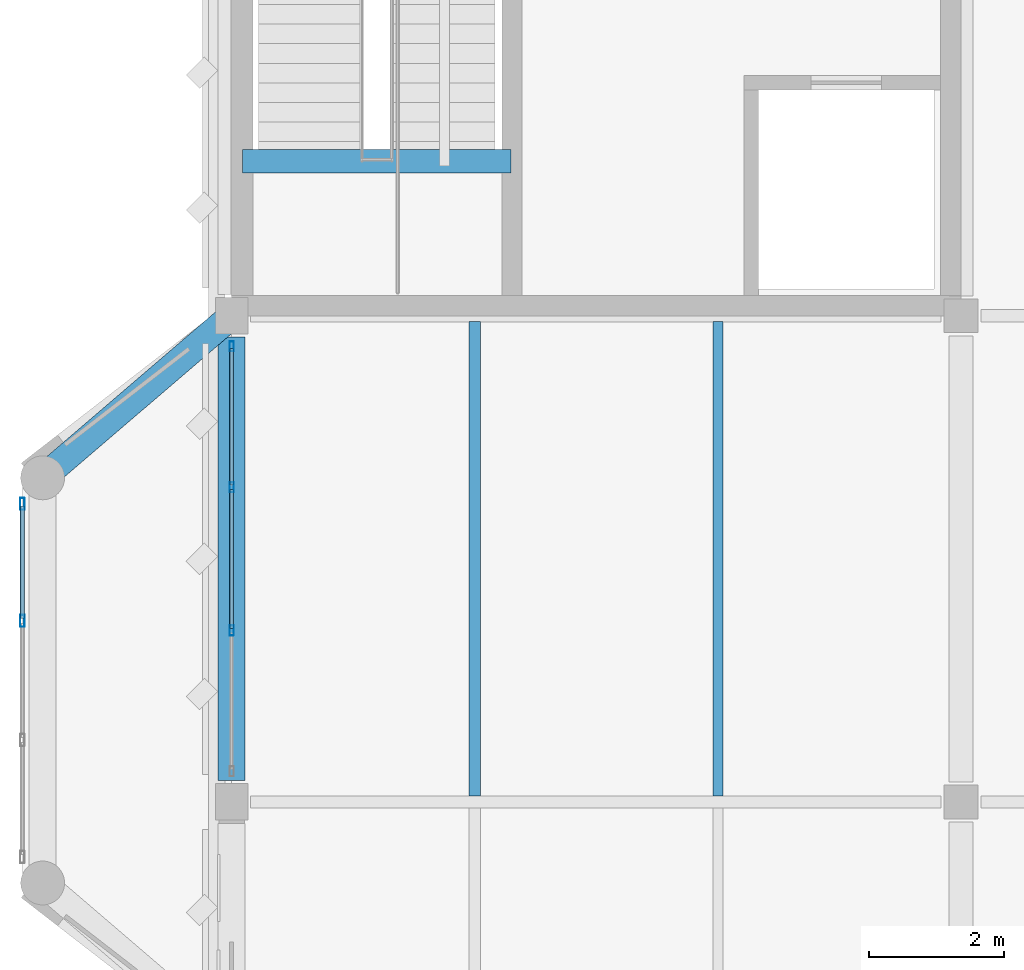
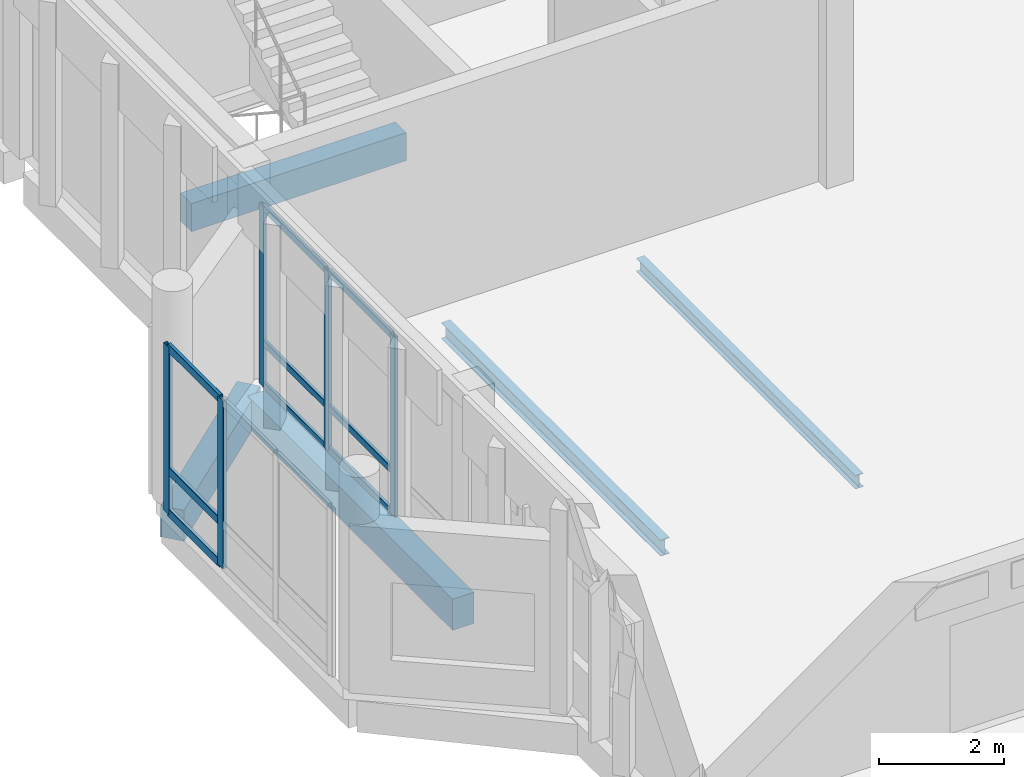
# One storey, part 8 of 72: 14 members, 5 beams, 2 elements without a shape of their own.
"""IFC4 building model written with IfcOpenShell, lengths in metres."""

from ifc_helpers import new_model, si_unit, direction, frame, origin, origin_2d, place, context, subcontext, project, spatial, rectangle, hollow_rectangle, i_section, extrude, material, material_profile, profile_set, type_object, element, aggregate, save


model = new_model("IFC4")

# Units and contexts
model_context = context("Model", 3, precision=1e-05, world=origin(), true_north=direction((0.0, 1.0)))
body_context = subcontext(model_context, "Body", "Model", "MODEL_VIEW")
ifc_project = project(units=[si_unit("LENGTHUNIT", "METRE"), si_unit("AREAUNIT", "SQUARE_METRE"), si_unit("VOLUMEUNIT", "CUBIC_METRE"), si_unit("PLANEANGLEUNIT", "RADIAN"), si_unit("MASSUNIT", "GRAM", prefix="KILO")], contexts=[model_context])

# Site, building, storey
site_placement = place(None, origin())
site = spatial("IfcSite", under=ifc_project, at=site_placement, CompositionType="ELEMENT")
building_placement = place(site_placement, origin())
building = spatial("IfcBuilding", under=site, at=building_placement, Name="Lusvemor Sports Hall", CompositionType="ELEMENT")
storey_placement = place(building_placement, frame((0.0, 0.0, 15.0)))
storey = spatial("IfcBuildingStorey", under=building, at=storey_placement, Name="L03", CompositionType="ELEMENT", Elevation=15.0)

# Beam
ifc_material_1 = material(Name="Concrete C40/50", Category="concrete")
ifc_material_profile_1 = material_profile(ifc_material_1, rectangle(XDim=0.35009765625, YDim=0.550048828125, at=origin_2d()), Name="RC350x550")
ifc_profile_set_1 = profile_set([ifc_material_profile_1], Name="Concrete C40/50")
beam_type_1 = type_object("IfcBeamType", Name="BEAM_RC_550", PredefinedType="BEAM", material=ifc_profile_set_1)
beam_1_placement = place(storey_placement, frame((0.159912109375, 70.68994140625, 1.64501953125), z_axis=(1.0, 0.0, 0.0), x_axis=(0.0, 1.0, 0.0)))
element("IfcBeam", 1, at=beam_1_placement, inside=storey, type_object=beam_type_1, Name="Stair STR-C3-L03 Mid-Landing Beam", PredefinedType="BEAM", context=body_context, shape_type="SweptSolid", body=[
    extrude(rectangle(XDim=0.35009765625, YDim=0.550048828125, at=origin_2d()), origin(), (0.0, 0.0, 1.0), 3.97998046875),
])

# Curtain wall, members
ifc_material_2 = material(Name="Thermally broken bronze-anodized aluminium", Category="aluminium")
curtain_wall_type_1 = type_object("IfcCurtainWallType", Name="CW_FOYER_A", PredefinedType="NOTDEFINED", material=ifc_material_2)
curtain_wall_1_placement = place(storey_placement, origin())
curtain_wall_1 = element("IfcCurtainWall", 2, at=curtain_wall_1_placement, inside=storey, type_object=curtain_wall_type_1, Name="Curtain Wall CW-BOW-W1-L03-M", PredefinedType="NOTDEFINED")
ifc_material_3 = material(Name="Thermally broken bronze-anodized aluminium", Category="aluminium")
ifc_material_profile_2 = material_profile(ifc_material_3, hollow_rectangle(XDim=0.070068359375, YDim=0.179931640625, WallThickness=0.0048828125, InnerFilletRadius=0.0048828125, OuterFilletRadius=0.010009765625, at=origin_2d()), Name="CWMUL180x70x5")
ifc_profile_set_2 = profile_set([ifc_material_profile_2], Name="Thermally broken bronze-anodized aluminium")
member_type_1 = type_object("IfcMemberType", Name="CW_MUL_A", PredefinedType="MULLION", material=ifc_profile_set_2)
member_1_placement = place(storey_placement, frame((-3.10009765625, 63.88330078125, 0.0), z_axis=(0.0, 0.0, 1.0), x_axis=(-1.0, 0.0, 0.0)))
member_1 = element("IfcMember", 3, at=member_1_placement, type_object=member_type_1, Name="CW01 mullion 3", PredefinedType="MULLION", context=body_context, shape_type="SweptSolid", body=[
    extrude(hollow_rectangle(XDim=0.070068359375, YDim=0.179931640625, WallThickness=0.0048828125, InnerFilletRadius=0.0048828125, OuterFilletRadius=0.010009765625, at=origin_2d()), origin(), (0.0, 0.0, 1.0), 3.280029296875),
])
member_2_placement = place(storey_placement, frame((-3.10009765625, 65.614990234375, 0.0), z_axis=(0.0, 0.0, 1.0), x_axis=(-1.0, 0.0, 0.0)))
member_2 = element("IfcMember", 4, at=member_2_placement, type_object=member_type_1, Name="CW01 mullion 4", PredefinedType="MULLION", context=body_context, shape_type="SweptSolid", body=[
    extrude(hollow_rectangle(XDim=0.070068359375, YDim=0.179931640625, WallThickness=0.0048828125, InnerFilletRadius=0.0048828125, OuterFilletRadius=0.010009765625, at=origin_2d()), origin(), (0.0, 0.0, 1.0), 3.280029296875),
])

ifc_material_4 = material(Name="Thermally broken bronze-anodized aluminium", Category="aluminium")
curtain_wall_type_2 = type_object("IfcCurtainWallType", Name="CW_WING_B", PredefinedType="NOTDEFINED", material=ifc_material_4)
curtain_wall_2_placement = place(storey_placement, origin())
curtain_wall_2 = element("IfcCurtainWall", 5, at=curtain_wall_2_placement, inside=storey, type_object=curtain_wall_type_2, Name="Curtain Wall CW-L03-W-0-1", PredefinedType="NOTDEFINED")
ifc_material_5 = material(Name="Thermally broken bronze-anodized aluminium", Category="aluminium")
ifc_material_profile_3 = material_profile(ifc_material_5, hollow_rectangle(XDim=0.06494140625, YDim=0.14990234375, WallThickness=0.00390625, InnerFilletRadius=0.00390625, OuterFilletRadius=0.008056640625, at=origin_2d()), Name="CWMUL150x65x4")
ifc_profile_set_3 = profile_set([ifc_material_profile_3], Name="Thermally broken bronze-anodized aluminium")
member_type_2 = type_object("IfcMemberType", Name="CW_MUL_B", PredefinedType="MULLION", material=ifc_profile_set_3)
member_3_placement = place(storey_placement, frame((0.0, 63.739990234375, 0.0), z_axis=(0.0, 0.0, 1.0), x_axis=(-1.0, 0.0, 0.0)))
member_3 = element("IfcMember", 6, at=member_3_placement, type_object=member_type_2, Name="CW02 mullion 2", PredefinedType="MULLION", context=body_context, shape_type="SweptSolid", body=[
    extrude(hollow_rectangle(XDim=0.06494140625, YDim=0.14990234375, WallThickness=0.00390625, InnerFilletRadius=0.00390625, OuterFilletRadius=0.008056640625, at=origin_2d()), origin(), (0.0, 0.0, 1.0), 3.52001953125),
])
member_4_placement = place(storey_placement, frame((0.0, 65.860107421875, 0.0), z_axis=(0.0, 0.0, 1.0), x_axis=(-1.0, 0.0, 0.0)))
member_4 = element("IfcMember", 7, at=member_4_placement, type_object=member_type_2, Name="CW02 mullion 3", PredefinedType="MULLION", context=body_context, shape_type="SweptSolid", body=[
    extrude(hollow_rectangle(XDim=0.06494140625, YDim=0.14990234375, WallThickness=0.00390625, InnerFilletRadius=0.00390625, OuterFilletRadius=0.008056640625, at=origin_2d()), origin(), (0.0, 0.0, 1.0), 3.52001953125),
])
member_5_placement = place(storey_placement, frame((0.0, 67.947509765625, 0.0), z_axis=(0.0, 0.0, 1.0), x_axis=(-1.0, 0.0, 0.0)))
member_5 = element("IfcMember", 8, at=member_5_placement, type_object=member_type_2, Name="CW02 mullion 4", PredefinedType="MULLION", context=body_context, shape_type="SweptSolid", body=[
    extrude(hollow_rectangle(XDim=0.06494140625, YDim=0.14990234375, WallThickness=0.00390625, InnerFilletRadius=0.00390625, OuterFilletRadius=0.008056640625, at=origin_2d()), origin(), (0.0, 0.0, 1.0), 3.52001953125),
])

# Member
ifc_material_6 = material(Name="Thermally broken bronze-anodized aluminium", Category="aluminium")
ifc_material_profile_4 = material_profile(ifc_material_6, hollow_rectangle(XDim=0.06494140625, YDim=0.159912109375, WallThickness=0.00390625, InnerFilletRadius=0.00390625, OuterFilletRadius=0.008056640625, at=origin_2d()), Name="CWTRN160x65x4")
ifc_profile_set_4 = profile_set([ifc_material_profile_4], Name="Thermally broken bronze-anodized aluminium")
member_type_3 = type_object("IfcMemberType", Name="CW_TRN_A", PredefinedType="USERDEFINED", material=ifc_profile_set_4)
member_6_placement = place(storey_placement, frame((-3.10009765625, 63.918212890625, 0.032470703125), z_axis=(0.0, 1.0, 0.0), x_axis=(-1.0, 0.0, 0.0)))
member_6 = element("IfcMember", 9, at=member_6_placement, type_object=member_type_3, Name="CW01 transom 3.1", ObjectType="TRANSOM", PredefinedType="USERDEFINED", context=body_context, shape_type="SweptSolid", body=[
    extrude(hollow_rectangle(XDim=0.06494140625, YDim=0.159912109375, WallThickness=0.00390625, InnerFilletRadius=0.00390625, OuterFilletRadius=0.008056640625, at=origin_2d()), origin(), (0.0, 0.0, 1.0), 1.661865234375),
])

member_7_placement = place(storey_placement, frame((-3.10009765625, 63.918212890625, 0.85009765625), z_axis=(0.0, 1.0, 0.0), x_axis=(-1.0, 0.0, 0.0)))
member_7 = element("IfcMember", 10, at=member_7_placement, type_object=member_type_3, Name="CW01 transom 3.2", ObjectType="TRANSOM", PredefinedType="USERDEFINED", context=body_context, shape_type="SweptSolid", body=[
    extrude(hollow_rectangle(XDim=0.06494140625, YDim=0.159912109375, WallThickness=0.00390625, InnerFilletRadius=0.00390625, OuterFilletRadius=0.008056640625, at=origin_2d()), origin(), (0.0, 0.0, 1.0), 1.661865234375),
])

member_8_placement = place(storey_placement, frame((-3.10009765625, 63.918212890625, 3.24755859375), z_axis=(0.0, 1.0, 0.0), x_axis=(-1.0, 0.0, 0.0)))
member_8 = element("IfcMember", 11, at=member_8_placement, type_object=member_type_3, Name="CW01 transom 3.3", ObjectType="TRANSOM", PredefinedType="USERDEFINED", context=body_context, shape_type="SweptSolid", body=[
    extrude(hollow_rectangle(XDim=0.06494140625, YDim=0.159912109375, WallThickness=0.00390625, InnerFilletRadius=0.00390625, OuterFilletRadius=0.008056640625, at=origin_2d()), origin(), (0.0, 0.0, 1.0), 1.661865234375),
])

aggregate(curtain_wall_1, [member_1, member_2, member_6, member_7, member_8])

ifc_material_7 = material(Name="Thermally broken bronze-anodized aluminium", Category="aluminium")
ifc_material_profile_5 = material_profile(ifc_material_7, hollow_rectangle(XDim=0.06005859375, YDim=0.135009765625, WallThickness=0.00390625, InnerFilletRadius=0.00390625, OuterFilletRadius=0.008056640625, at=origin_2d()), Name="CWTRN135x60x4")
ifc_profile_set_5 = profile_set([ifc_material_profile_5], Name="Thermally broken bronze-anodized aluminium")
member_type_4 = type_object("IfcMemberType", Name="CW_TRN_B", PredefinedType="USERDEFINED", material=ifc_profile_set_5)
member_9_placement = place(storey_placement, frame((0.0, 63.7724609375, 0.030029296875), z_axis=(0.0, 1.0, 0.0), x_axis=(-1.0, 0.0, 0.0)))
member_9 = element("IfcMember", 12, at=member_9_placement, type_object=member_type_4, Name="CW02 transom 2.1", ObjectType="TRANSOM", PredefinedType="USERDEFINED", context=body_context, shape_type="SweptSolid", body=[
    extrude(hollow_rectangle(XDim=0.06005859375, YDim=0.135009765625, WallThickness=0.00390625, InnerFilletRadius=0.00390625, OuterFilletRadius=0.008056640625, at=origin_2d()), origin(), (0.0, 0.0, 1.0), 2.054931640625),
])

member_10_placement = place(storey_placement, frame((0.0, 63.7724609375, 0.85009765625), z_axis=(0.0, 1.0, 0.0), x_axis=(-1.0, 0.0, 0.0)))
member_10 = element("IfcMember", 13, at=member_10_placement, type_object=member_type_4, Name="CW02 transom 2.2", ObjectType="TRANSOM", PredefinedType="USERDEFINED", context=body_context, shape_type="SweptSolid", body=[
    extrude(hollow_rectangle(XDim=0.06005859375, YDim=0.135009765625, WallThickness=0.00390625, InnerFilletRadius=0.00390625, OuterFilletRadius=0.008056640625, at=origin_2d()), origin(), (0.0, 0.0, 1.0), 2.054931640625),
])

member_11_placement = place(storey_placement, frame((0.0, 63.7724609375, 3.489990234375), z_axis=(0.0, 1.0, 0.0), x_axis=(-1.0, 0.0, 0.0)))
member_11 = element("IfcMember", 14, at=member_11_placement, type_object=member_type_4, Name="CW02 transom 2.3", ObjectType="TRANSOM", PredefinedType="USERDEFINED", context=body_context, shape_type="SweptSolid", body=[
    extrude(hollow_rectangle(XDim=0.06005859375, YDim=0.135009765625, WallThickness=0.00390625, InnerFilletRadius=0.00390625, OuterFilletRadius=0.008056640625, at=origin_2d()), origin(), (0.0, 0.0, 1.0), 2.054931640625),
])

member_12_placement = place(storey_placement, frame((0.0, 65.892578125, 0.030029296875), z_axis=(0.0, 1.0, 0.0), x_axis=(-1.0, 0.0, 0.0)))
member_12 = element("IfcMember", 15, at=member_12_placement, type_object=member_type_4, Name="CW02 transom 3.1", ObjectType="TRANSOM", PredefinedType="USERDEFINED", context=body_context, shape_type="SweptSolid", body=[
    extrude(hollow_rectangle(XDim=0.06005859375, YDim=0.135009765625, WallThickness=0.00390625, InnerFilletRadius=0.00390625, OuterFilletRadius=0.008056640625, at=origin_2d()), origin(), (0.0, 0.0, 1.0), 2.0224609375),
])

member_13_placement = place(storey_placement, frame((0.0, 65.892578125, 0.85009765625), z_axis=(0.0, 1.0, 0.0), x_axis=(-1.0, 0.0, 0.0)))
member_13 = element("IfcMember", 16, at=member_13_placement, type_object=member_type_4, Name="CW02 transom 3.2", ObjectType="TRANSOM", PredefinedType="USERDEFINED", context=body_context, shape_type="SweptSolid", body=[
    extrude(hollow_rectangle(XDim=0.06005859375, YDim=0.135009765625, WallThickness=0.00390625, InnerFilletRadius=0.00390625, OuterFilletRadius=0.008056640625, at=origin_2d()), origin(), (0.0, 0.0, 1.0), 2.0224609375),
])

member_14_placement = place(storey_placement, frame((0.0, 65.892578125, 3.489990234375), z_axis=(0.0, 1.0, 0.0), x_axis=(-1.0, 0.0, 0.0)))
member_14 = element("IfcMember", 17, at=member_14_placement, type_object=member_type_4, Name="CW02 transom 3.3", ObjectType="TRANSOM", PredefinedType="USERDEFINED", context=body_context, shape_type="SweptSolid", body=[
    extrude(hollow_rectangle(XDim=0.06005859375, YDim=0.135009765625, WallThickness=0.00390625, InnerFilletRadius=0.00390625, OuterFilletRadius=0.008056640625, at=origin_2d()), origin(), (0.0, 0.0, 1.0), 2.0224609375),
])

aggregate(curtain_wall_2, [member_3, member_4, member_5, member_9, member_10, member_11, member_12, member_13, member_14])

# Beams
ifc_material_8 = material(Name="Steel S355", Category="steel")
ifc_material_profile_6 = material_profile(ifc_material_8, i_section(OverallWidth=0.14794921875, OverallDepth=0.26611328125, WebThickness=0.007568359375, FlangeThickness=0.012939453125, FilletRadius=0.012939453125, at=origin_2d()), Name="W250x44.8")
ifc_profile_set_6 = profile_set([ifc_material_profile_6], Name="Steel S355")
beam_type_2 = type_object("IfcBeamType", Name="JOIST_ST_250M", PredefinedType="JOIST", material=ifc_profile_set_6)
beam_2_placement = place(storey_placement, frame((7.199951171875, 61.28662109375, -0.376953125), z_axis=(0.0, 1.0, 0.0), x_axis=(-1.0, 0.0, 0.0)))
element("IfcBeam", 18, at=beam_2_placement, inside=storey, type_object=beam_type_2, Name="Secondary Joist L03 1-2/H-J #2", PredefinedType="JOIST", context=body_context, shape_type="SweptSolid", body=[
    extrude(i_section(OverallWidth=0.14794921875, OverallDepth=0.26611328125, WebThickness=0.007568359375, FlangeThickness=0.012939453125, FilletRadius=0.012939453125, at=origin_2d()), origin(), (0.0, 0.0, 1.0), 7.02685546875),
])
ifc_material_9 = material(Name="Steel S355", Category="steel")
ifc_material_profile_7 = material_profile(ifc_material_9, i_section(OverallWidth=0.1669921875, OverallDepth=0.31689453125, WebThickness=0.007568359375, FlangeThickness=0.01318359375, FilletRadius=0.014892578125, at=origin_2d()), Name="W310x52.0")
ifc_profile_set_7 = profile_set([ifc_material_profile_7], Name="Steel S355")
beam_type_3 = type_object("IfcBeamType", Name="JOIST_ST_310M", PredefinedType="JOIST", material=ifc_profile_set_7)
beam_3_placement = place(storey_placement, frame((3.60009765625, 61.28662109375, -0.402587890625), z_axis=(0.0, 1.0, 0.0), x_axis=(-1.0, 0.0, 0.0)))
element("IfcBeam", 19, at=beam_3_placement, inside=storey, type_object=beam_type_3, Name="Secondary Joist L03 1-2/H-J #1", PredefinedType="JOIST", context=body_context, shape_type="SweptSolid", body=[
    extrude(i_section(OverallWidth=0.1669921875, OverallDepth=0.31689453125, WebThickness=0.007568359375, FlangeThickness=0.01318359375, FilletRadius=0.014892578125, at=origin_2d()), origin(), (0.0, 0.0, 1.0), 7.02685546875),
])
ifc_material_10 = material(Name="Concrete C40/50", Category="concrete")
ifc_material_profile_8 = material_profile(ifc_material_10, rectangle(XDim=0.39990234375, YDim=0.610107421875, at=origin_2d()), Name="RC400x610")
ifc_profile_set_8 = profile_set([ifc_material_profile_8], Name="Concrete C40/50")
beam_type_4 = type_object("IfcBeamType", Name="SPAND_EXT_650", PredefinedType="SPANDREL", material=ifc_profile_set_8)
beam_4_placement = place(storey_placement, frame((0.0, 61.51611328125, -0.544921875), z_axis=(0.0, 1.0, 0.0), x_axis=(-1.0, 0.0, 0.0)))
element("IfcBeam", 20, at=beam_4_placement, inside=storey, type_object=beam_type_4, Name="Beam L03 1:H-J", PredefinedType="SPANDREL", context=body_context, shape_type="SweptSolid", body=[
    extrude(rectangle(XDim=0.39990234375, YDim=0.610107421875, at=origin_2d()), origin(), (0.0, 0.0, 1.0), 6.56787109375),
])
beam_5_placement = place(storey_placement, frame((-2.800048828125, 66.0, -0.56494140625), z_axis=(0.759275294494, 0.650769565339, 0.0), x_axis=(-0.650769565339, 0.759275294494, 0.0)))
element("IfcBeam", 21, at=beam_5_placement, inside=storey, type_object=beam_type_4, Name="Bow Pavilion Edge Beam BOW-W1 L03-3", PredefinedType="SPANDREL", context=body_context, shape_type="SweptSolid", body=[
    extrude(rectangle(XDim=0.39990234375, YDim=0.610107421875, at=origin_2d()), origin(), (0.0, 0.0, 1.0), 3.687744140625),
])

save(model, "model.ifc")
